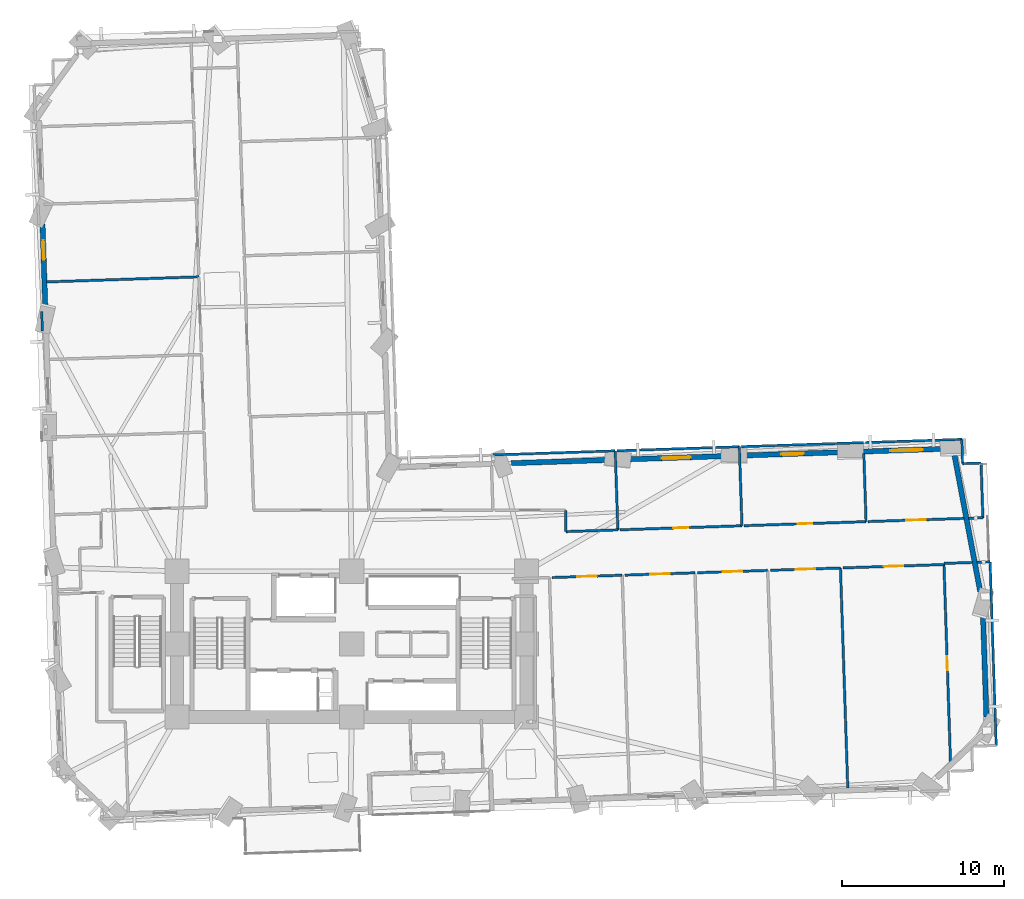
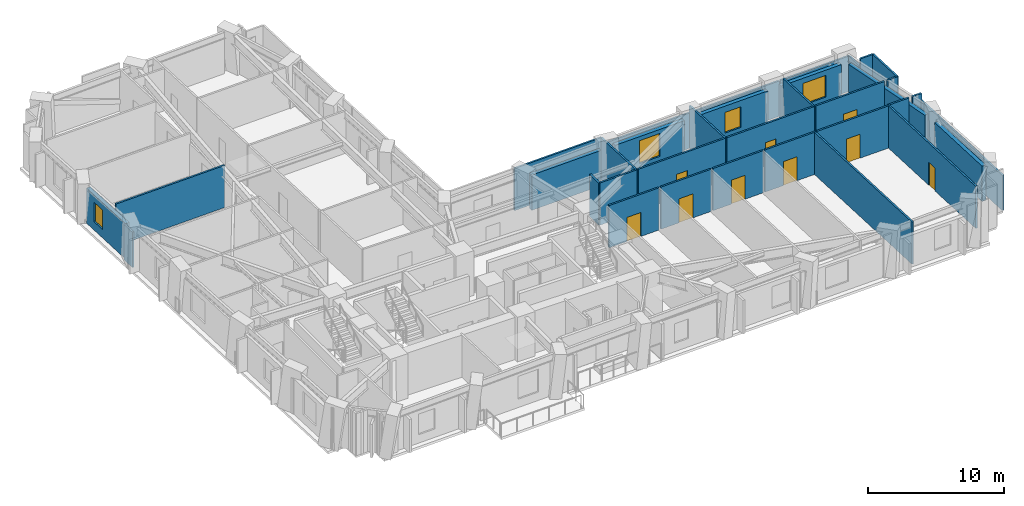
# One storey, part 8 of 14: 35 walls, 9 doors, 4 windows, 13 openings.
"""IFC4 building model written with IfcOpenShell, lengths in metres."""

from ifc_helpers import new_model, si_unit, direction, frame, frame_2d, origin, place, context, subcontext, project, spatial, rectangle, extrude, material, layer, layer_set, type_object, element, fill, save


model = new_model("IFC4")

# Units and contexts
model_context = context("Model", 3, precision=1e-05, world=origin(), true_north=direction((0.0, 1.0)))
body_context = subcontext(model_context, "Body", "Model", "MODEL_VIEW")
ifc_project = project(units=[si_unit("LENGTHUNIT", "METRE"), si_unit("AREAUNIT", "SQUARE_METRE"), si_unit("VOLUMEUNIT", "CUBIC_METRE"), si_unit("PLANEANGLEUNIT", "RADIAN"), si_unit("MASSUNIT", "GRAM", prefix="KILO")], contexts=[model_context])

# Site, building, storey
site_placement = place(None, origin())
site = spatial("IfcSite", under=ifc_project, at=site_placement, CompositionType="ELEMENT")
building_placement = place(site_placement, origin())
building = spatial("IfcBuilding", under=site, at=building_placement, Name="Gaonmaruhae Medical Tower", CompositionType="ELEMENT")
storey_placement = place(building_placement, frame((0.0, 0.0, 31.0)))
storey = spatial("IfcBuildingStorey", under=building, at=storey_placement, Name="L06", CompositionType="ELEMENT", Elevation=31.0)

# Walls
ifc_material_1 = material(Name="Precast concrete C45/55", Category="concrete")
ifc_layer_1 = layer(ifc_material_1, 0.320068359375)
ifc_layer_set_1 = layer_set([ifc_layer_1], Name="Precast concrete C45/55")
wall_type_1 = type_object("IfcWallType", Name="EW-320 Lower Precast Masonry-Frame Facade Wall", PredefinedType="SOLIDWALL", material=ifc_layer_set_1)
wall_1_placement = place(storey_placement, frame((63.811767578125, 14.392822265625, 0.0), z_axis=(0.0, 0.0, 1.0), x_axis=(0.033130361489, -0.999451038895, 0.0)))
element("IfcWall", 1, at=wall_1_placement, inside=storey, type_object=wall_type_1, Name="L06 Precast Masonry-Frame Wall E01-E02", PredefinedType="SOLIDWALL", context=body_context, shape_type="SweptSolid", body=[
    extrude(rectangle(XDim=6.610107421875, YDim=0.320068359375, at=frame_2d((3.30517578125, 0.0))), origin(), (0.0, 0.0, 1.0), 3.1650390625),
])
wall_2_placement = place(storey_placement, frame((62.048828125, 24.02197265625, 0.0), z_axis=(0.0, 0.0, 1.0), x_axis=(0.185503389707, -0.982643624315, 0.0)))
element("IfcWall", 2, at=wall_2_placement, inside=storey, type_object=wall_type_1, Name="L06 Precast Masonry-Frame Wall E02-E03", PredefinedType="SOLIDWALL", context=body_context, shape_type="SweptSolid", body=[
    extrude(rectangle(XDim=8.61376953125, YDim=0.320068359375, at=frame_2d((4.306884765625, 0.0))), origin(), (0.0, 0.0, 1.0), 3.1650390625),
])

# Wall, opening, window
wall_3_placement = place(storey_placement, frame((56.221923828125, 24.19970703125, 0.0), z_axis=(0.0, 0.0, 1.0), x_axis=(0.999450872854, 0.033135370087, 0.0)))
wall_3 = element("IfcWall", 3, at=wall_3_placement, inside=storey, type_object=wall_type_1, Name="L06 Precast Masonry-Frame Wall E03-EN01", PredefinedType="SOLIDWALL", context=body_context, shape_type="SweptSolid", body=[
    extrude(rectangle(XDim=5.209228515625, YDim=0.320068359375, at=frame_2d((2.6044921875, 0.0))), origin(), (0.0, 0.0, 1.0), 3.1650390625),
])
opening_1_placement = place(wall_3_placement, frame((1.8720703125, 0.0, 0.75)))
opening_1 = element("IfcOpeningElement", 4, at=opening_1_placement, cuts=wall_3, Name="Opening WN-02", PredefinedType="OPENING", context=body_context, shape_type="SweptSolid", body=[
    extrude(rectangle(XDim=2.0, YDim=1.949951171875, at=frame_2d((1.0, 0.97509765625))), frame((0.0, 0.169921875, 0.0), z_axis=(0.0, -1.0, 0.0), x_axis=(1.0, 0.0, 0.0)), (0.0, 0.0, 1.0), 0.340087890625),
])
ifc_material_2 = material(Name="Anodised aluminium and Low-E double glazing", Category="aluminium")
window_type_1 = type_object("IfcWindowType", Name="WN-02 Double-Bed Ward Punched Window 2000x1950", PartitioningType="SINGLE_PANEL", PredefinedType="WINDOW", material=ifc_material_2)
window_1_placement = place(opening_1_placement, origin())
window_1 = element("IfcWindow", 5, at=window_1_placement, inside=storey, type_object=window_type_1, Name="L06 Modular Facade Window E03", OverallHeight=1.949951171875, OverallWidth=2.0, PartitioningType="SINGLE_PANEL", PredefinedType="WINDOW", context=body_context, shape_type="SweptSolid", body=[
    extrude(rectangle(XDim=2.0, YDim=1.949951171875, at=frame_2d((1.0, 0.97509765625))), frame((0.0, 0.030029296875, 0.0), z_axis=(0.0, -1.0, 0.0), x_axis=(1.0, 0.0, 0.0)), (0.0, 0.0, 1.0), 0.06005859375),
])
fill(opening_1, window_1)

wall_4_placement = place(storey_placement, frame((49.041748046875, 23.96142578125, 0.0), z_axis=(0.0, 0.0, 1.0), x_axis=(0.999449037316, 0.033190688572, 0.0)))
wall_4 = element("IfcWall", 6, at=wall_4_placement, inside=storey, type_object=wall_type_1, Name="L06 Precast Masonry-Frame Wall EN01-EN02", PredefinedType="SOLIDWALL", context=body_context, shape_type="SweptSolid", body=[
    extrude(rectangle(XDim=6.0244140625, YDim=0.320068359375, at=frame_2d((3.01220703125, 0.0))), origin(), (0.0, 0.0, 1.0), 3.1650390625),
])
opening_2_placement = place(wall_4_placement, frame((2.30859375, 0.0, 0.75)))
opening_2 = element("IfcOpeningElement", 7, at=opening_2_placement, cuts=wall_4, Name="Opening WN-03", PredefinedType="OPENING", context=body_context, shape_type="SweptSolid", body=[
    extrude(rectangle(XDim=1.39990234375, YDim=1.85009765625, at=frame_2d((0.699951171875, 0.925048828125))), frame((0.0, 0.169921875, 0.0), z_axis=(0.0, -1.0, 0.0), x_axis=(1.0, 0.0, 0.0)), (0.0, 0.0, 1.0), 0.340087890625),
])
window_type_2 = type_object("IfcWindowType", Name="WN-03 Isolation Ward Punched Window 1400x1850", PartitioningType="SINGLE_PANEL", PredefinedType="WINDOW", material=ifc_material_2)
window_2_placement = place(opening_2_placement, origin())
window_2 = element("IfcWindow", 8, at=window_2_placement, inside=storey, type_object=window_type_2, Name="L06 Modular Facade Window EN01", OverallHeight=1.85009765625, OverallWidth=1.39990234375, PartitioningType="SINGLE_PANEL", PredefinedType="WINDOW", context=body_context, shape_type="SweptSolid", body=[
    extrude(rectangle(XDim=1.39990234375, YDim=1.85009765625, at=frame_2d((0.699951171875, 0.925048828125))), frame((0.0, 0.030029296875, 0.0), z_axis=(0.0, -1.0, 0.0), x_axis=(1.0, 0.0, 0.0)), (0.0, 0.0, 1.0), 0.06005859375),
])
fill(opening_2, window_2)

wall_5_placement = place(storey_placement, frame((41.85546875, 23.72314453125, 0.0), z_axis=(0.0, 0.0, 1.0), x_axis=(0.999449908842, 0.033164434498, 0.0)))
wall_5 = element("IfcWall", 9, at=wall_5_placement, inside=storey, type_object=wall_type_1, Name="L06 Precast Masonry-Frame Wall EN02-EN03", PredefinedType="SOLIDWALL", context=body_context, shape_type="SweptSolid", body=[
    extrude(rectangle(XDim=5.999755859375, YDim=0.320068359375, at=frame_2d((3.0, 0.0))), origin(), (0.0, 0.0, 1.0), 3.1650390625),
])
opening_3_placement = place(wall_5_placement, frame((2.097900390625, 0.0, 0.75)))
opening_3 = element("IfcOpeningElement", 10, at=opening_3_placement, cuts=wall_5, Name="Opening WN-04", PredefinedType="OPENING", context=body_context, shape_type="SweptSolid", body=[
    extrude(rectangle(XDim=1.800048828125, YDim=2.050048828125, at=frame_2d((0.89990234375, 1.02490234375))), frame((0.0, 0.169921875, 0.0), z_axis=(0.0, -1.0, 0.0), x_axis=(1.0, 0.0, 0.0)), (0.0, 0.0, 1.0), 0.340087890625),
])
window_type_3 = type_object("IfcWindowType", Name="WN-04 Clinic & Consult Punched Window 1800x2050", PartitioningType="SINGLE_PANEL", PredefinedType="WINDOW", material=ifc_material_2)
window_3_placement = place(opening_3_placement, origin())
window_3 = element("IfcWindow", 11, at=window_3_placement, inside=storey, type_object=window_type_3, Name="L06 Modular Facade Window EN02", OverallHeight=2.050048828125, OverallWidth=1.800048828125, PartitioningType="SINGLE_PANEL", PredefinedType="WINDOW", context=body_context, shape_type="SweptSolid", body=[
    extrude(rectangle(XDim=1.800048828125, YDim=2.050048828125, at=frame_2d((0.89990234375, 1.02490234375))), frame((0.0, 0.030029296875, 0.0), z_axis=(0.0, -1.0, 0.0), x_axis=(1.0, 0.0, 0.0)), (0.0, 0.0, 1.0), 0.06005859375),
])
fill(opening_3, window_3)

# Wall
wall_6_placement = place(storey_placement, frame((34.6630859375, 23.484619140625, 0.0), z_axis=(0.0, 0.0, 1.0), x_axis=(0.999450324631, 0.033151901833, 0.0)))
element("IfcWall", 12, at=wall_6_placement, inside=storey, type_object=wall_type_1, Name="L06 Precast Masonry-Frame Wall EN03-EN04", PredefinedType="SOLIDWALL", context=body_context, shape_type="SweptSolid", body=[
    extrude(rectangle(XDim=5.987060546875, YDim=0.320068359375, at=frame_2d((2.99365234375, 0.0))), origin(), (0.0, 0.0, 1.0), 3.1650390625),
])

# Wall, opening, window
wall_7_placement = place(storey_placement, frame((5.867431640625, 32.860595703125, 0.0), z_axis=(0.0, 0.0, 1.0), x_axis=(-0.033135713124, 0.999450861481, 0.0)))
wall_7 = element("IfcWall", 13, at=wall_7_placement, inside=storey, type_object=wall_type_1, Name="L06 Precast Masonry-Frame Wall W02-W03", PredefinedType="SOLIDWALL", context=body_context, shape_type="SweptSolid", body=[
    extrude(rectangle(XDim=5.400634765625, YDim=0.320068359375, at=frame_2d((2.7001953125, 0.0))), origin(), (0.0, 0.0, 1.0), 3.1650390625),
])
opening_4_placement = place(wall_7_placement, frame((3.194580078125, 0.0, 0.75)))
opening_4 = element("IfcOpeningElement", 14, at=opening_4_placement, cuts=wall_7, Name="Opening WN-05", PredefinedType="OPENING", context=body_context, shape_type="SweptSolid", body=[
    extrude(rectangle(XDim=1.199951171875, YDim=1.75, at=frame_2d((0.60009765625, 0.875))), frame((0.0, 0.169921875, 0.0), z_axis=(0.0, -1.0, 0.0), x_axis=(1.0, 0.0, 0.0)), (0.0, 0.0, 1.0), 0.340087890625),
])
window_type_4 = type_object("IfcWindowType", Name="WN-05 Support & Staff Punched Window 1200x1750", PartitioningType="SINGLE_PANEL", PredefinedType="WINDOW", material=ifc_material_2)
window_4_placement = place(opening_4_placement, origin())
window_4 = element("IfcWindow", 15, at=window_4_placement, inside=storey, type_object=window_type_4, Name="L06 Modular Facade Window W02", OverallHeight=1.75, OverallWidth=1.199951171875, PartitioningType="SINGLE_PANEL", PredefinedType="WINDOW", context=body_context, shape_type="SweptSolid", body=[
    extrude(rectangle(XDim=1.199951171875, YDim=1.75, at=frame_2d((0.60009765625, 0.875))), frame((0.0, 0.030029296875, 0.0), z_axis=(0.0, -1.0, 0.0), x_axis=(1.0, 0.0, 0.0)), (0.0, 0.0, 1.0), 0.06005859375),
])
fill(opening_4, window_4)

# Wall, opening, door
ifc_material_3 = material(Name="Gypsum board partition", Category="gypsum")
ifc_layer_2 = layer(ifc_material_3, 0.14990234375)
ifc_layer_set_2 = layer_set([ifc_layer_2], Name="Gypsum board partition")
wall_type_2 = type_object("IfcWallType", Name="PW-150 Rated Clinical Corridor Partition", PredefinedType="PARTITIONING", material=ifc_layer_set_2)
wall_8_placement = place(storey_placement, frame((37.179931640625, 16.4140625, 0.0), z_axis=(0.0, 0.0, 1.0), x_axis=(0.999449206093, 0.03318560592, 0.0)))
wall_8 = element("IfcWall", 16, at=wall_8_placement, inside=storey, type_object=wall_type_2, Name="L06 Interior Partition L06-SUP08-34", PredefinedType="PARTITIONING", context=body_context, shape_type="SweptSolid", body=[
    extrude(rectangle(XDim=4.340576171875, YDim=0.14990234375, at=frame_2d((2.17041015625, 0.0))), origin(), (0.0, 0.0, 1.0), 3.780029296875),
])
opening_5_placement = place(wall_8_placement, frame((1.5703125, 0.0, 0.0)))
opening_5 = element("IfcOpeningElement", 17, at=opening_5_placement, cuts=wall_8, Name="Opening CD-02", PredefinedType="OPENING", context=body_context, shape_type="SweptSolid", body=[
    extrude(rectangle(XDim=1.199951171875, YDim=2.14990234375, at=frame_2d((0.60009765625, 1.074951171875))), frame((0.0, 0.0849609375, 0.0), z_axis=(0.0, -1.0, 0.0), x_axis=(1.0, 0.0, 0.0)), (0.0, 0.0, 1.0), 0.169921875),
])
ifc_material_4 = material(Name="Antimicrobial laminate timber fire door", Category="wood")
door_type_1 = type_object("IfcDoorType", Name="CD-02 Clinical Treatment & Procedure Door 1200x2150", OperationType="NOTDEFINED", PredefinedType="DOOR", material=ifc_material_4)
door_1_placement = place(opening_5_placement, origin())
door_1 = element("IfcDoor", 18, at=door_1_placement, inside=storey, type_object=door_type_1, Name="L06 Clinical Biomedical Charting Office Door", OperationType="SINGLE_SWING_LEFT", OverallHeight=2.14990234375, OverallWidth=1.199951171875, PredefinedType="DOOR", context=body_context, shape_type="SweptSolid", body=[
    extrude(rectangle(XDim=1.199951171875, YDim=2.14990234375, at=frame_2d((0.60009765625, 1.074951171875))), frame((0.0, 0.02490234375, 0.0), z_axis=(0.0, -1.0, 0.0), x_axis=(1.0, 0.0, 0.0)), (0.0, 0.0, 1.0), 0.050048828125),
])
fill(opening_5, door_1)

wall_9_placement = place(storey_placement, frame((41.677978515625, 16.56298828125, 0.0), z_axis=(0.0, 0.0, 1.0), x_axis=(0.999448896244, 0.03319493632, 0.0)))
wall_9 = element("IfcWall", 19, at=wall_9_placement, inside=storey, type_object=wall_type_2, Name="L06 Interior Partition L06-SUP09-37", PredefinedType="PARTITIONING", context=body_context, shape_type="SweptSolid", body=[
    extrude(rectangle(XDim=4.33935546875, YDim=0.14990234375, at=frame_2d((2.169677734375, 0.0))), origin(), (0.0, 0.0, 1.0), 3.780029296875),
])
opening_6_placement = place(wall_9_placement, frame((1.569580078125, 0.0, 0.0)))
opening_6 = element("IfcOpeningElement", 20, at=opening_6_placement, cuts=wall_9, Name="Opening CD-02", PredefinedType="OPENING", context=body_context, shape_type="SweptSolid", body=[
    extrude(rectangle(XDim=1.199951171875, YDim=2.14990234375, at=frame_2d((0.60009765625, 1.074951171875))), frame((0.0, 0.0849609375, 0.0), z_axis=(0.0, -1.0, 0.0), x_axis=(1.0, 0.0, 0.0)), (0.0, 0.0, 1.0), 0.169921875),
])
door_2_placement = place(opening_6_placement, origin())
door_2 = element("IfcDoor", 21, at=door_2_placement, inside=storey, type_object=door_type_1, Name="L06 Clinical Biomedical Charting Office Door", OperationType="SINGLE_SWING_LEFT", OverallHeight=2.14990234375, OverallWidth=1.199951171875, PredefinedType="DOOR", context=body_context, shape_type="SweptSolid", body=[
    extrude(rectangle(XDim=1.199951171875, YDim=2.14990234375, at=frame_2d((0.60009765625, 1.074951171875))), frame((0.0, 0.02490234375, 0.0), z_axis=(0.0, -1.0, 0.0), x_axis=(1.0, 0.0, 0.0)), (0.0, 0.0, 1.0), 0.050048828125),
])
fill(opening_6, door_2)

wall_10_placement = place(storey_placement, frame((46.175048828125, 16.7119140625, 0.0), z_axis=(0.0, 0.0, 1.0), x_axis=(0.999449144144, 0.033187471581, 0.0)))
wall_10 = element("IfcWall", 22, at=wall_10_placement, inside=storey, type_object=wall_type_2, Name="L06 Interior Partition L06-SUP10-40", PredefinedType="PARTITIONING", context=body_context, shape_type="SweptSolid", body=[
    extrude(rectangle(XDim=4.34033203125, YDim=0.14990234375, at=frame_2d((2.170166015625, 0.0))), origin(), (0.0, 0.0, 1.0), 3.780029296875),
])
opening_7_placement = place(wall_10_placement, frame((1.5703125, 0.0, 0.0)))
opening_7 = element("IfcOpeningElement", 23, at=opening_7_placement, cuts=wall_10, Name="Opening CD-02", PredefinedType="OPENING", context=body_context, shape_type="SweptSolid", body=[
    extrude(rectangle(XDim=1.199951171875, YDim=2.14990234375, at=frame_2d((0.60009765625, 1.074951171875))), frame((0.0, 0.0849609375, 0.0), z_axis=(0.0, -1.0, 0.0), x_axis=(1.0, 0.0, 0.0)), (0.0, 0.0, 1.0), 0.169921875),
])
door_3_placement = place(opening_7_placement, origin())
door_3 = element("IfcDoor", 24, at=door_3_placement, inside=storey, type_object=door_type_1, Name="L06 Clinical Biomedical Charting Office Door", OperationType="SINGLE_SWING_RIGHT", OverallHeight=2.14990234375, OverallWidth=1.199951171875, PredefinedType="DOOR", context=body_context, shape_type="SweptSolid", body=[
    extrude(rectangle(XDim=1.199951171875, YDim=2.14990234375, at=frame_2d((0.60009765625, 1.074951171875))), frame((0.0, 0.02490234375, 0.0), z_axis=(0.0, -1.0, 0.0), x_axis=(1.0, 0.0, 0.0)), (0.0, 0.0, 1.0), 0.050048828125),
])
fill(opening_7, door_3)

wall_11_placement = place(storey_placement, frame((50.673095703125, 16.862060546875, 0.0), z_axis=(0.0, 0.0, 1.0), x_axis=(0.999448896244, 0.03319493632, 0.0)))
wall_11 = element("IfcWall", 25, at=wall_11_placement, inside=storey, type_object=wall_type_2, Name="L06 Interior Partition L06-SUP11-42", PredefinedType="PARTITIONING", context=body_context, shape_type="SweptSolid", body=[
    extrude(rectangle(XDim=4.33935546875, YDim=0.14990234375, at=frame_2d((2.169677734375, 0.0))), origin(), (0.0, 0.0, 1.0), 3.780029296875),
])
opening_8_placement = place(wall_11_placement, frame((1.569580078125, 0.0, 0.0)))
opening_8 = element("IfcOpeningElement", 26, at=opening_8_placement, cuts=wall_11, Name="Opening CD-02", PredefinedType="OPENING", context=body_context, shape_type="SweptSolid", body=[
    extrude(rectangle(XDim=1.199951171875, YDim=2.14990234375, at=frame_2d((0.60009765625, 1.074951171875))), frame((0.0, 0.0849609375, 0.0), z_axis=(0.0, -1.0, 0.0), x_axis=(1.0, 0.0, 0.0)), (0.0, 0.0, 1.0), 0.169921875),
])
door_4_placement = place(opening_8_placement, origin())
door_4 = element("IfcDoor", 27, at=door_4_placement, inside=storey, type_object=door_type_1, Name="L06 Clinical Biomedical Charting Office Door", OperationType="SINGLE_SWING_RIGHT", OverallHeight=2.14990234375, OverallWidth=1.199951171875, PredefinedType="DOOR", context=body_context, shape_type="SweptSolid", body=[
    extrude(rectangle(XDim=1.199951171875, YDim=2.14990234375, at=frame_2d((0.60009765625, 1.074951171875))), frame((0.0, 0.02490234375, 0.0), z_axis=(0.0, -1.0, 0.0), x_axis=(1.0, 0.0, 0.0)), (0.0, 0.0, 1.0), 0.050048828125),
])
fill(opening_8, door_4)

# Wall
wall_12_placement = place(storey_placement, frame((55.010009765625, 17.006103515625, 0.0), z_axis=(0.0, 0.0, 1.0), x_axis=(0.033190050186, -0.999449058516, 0.0)))
element("IfcWall", 28, at=wall_12_placement, inside=storey, type_object=wall_type_2, Name="L06 Interior Partition L06-SUP11-43", PredefinedType="PARTITIONING", context=body_context, shape_type="SweptSolid", body=[
    extrude(rectangle(XDim=13.61572265625, YDim=0.14990234375, at=frame_2d((6.807861328125, 0.0))), origin(), (0.0, 0.0, 1.0), 3.780029296875),
])

# Wall, opening, door
wall_13_placement = place(storey_placement, frame((55.169921875, 17.010986328125, 0.0), z_axis=(0.0, 0.0, 1.0), x_axis=(0.999449543268, 0.033175449669, 0.0)))
wall_13 = element("IfcWall", 29, at=wall_13_placement, inside=storey, type_object=wall_type_2, Name="L06 Interior Partition L06-SUP12-46", PredefinedType="PARTITIONING", context=body_context, shape_type="SweptSolid", body=[
    extrude(rectangle(XDim=6.240478515625, YDim=0.14990234375, at=frame_2d((3.1201171875, 0.0))), origin(), (0.0, 0.0, 1.0), 3.780029296875),
])
opening_9_placement = place(wall_13_placement, frame((2.520263671875, 0.0, 0.0)))
opening_9 = element("IfcOpeningElement", 30, at=opening_9_placement, cuts=wall_13, Name="Opening CD-02", PredefinedType="OPENING", context=body_context, shape_type="SweptSolid", body=[
    extrude(rectangle(XDim=1.199951171875, YDim=2.14990234375, at=frame_2d((0.60009765625, 1.074951171875))), frame((0.0, 0.0849609375, 0.0), z_axis=(0.0, -1.0, 0.0), x_axis=(1.0, 0.0, 0.0)), (0.0, 0.0, 1.0), 0.169921875),
])
door_5_placement = place(opening_9_placement, origin())
door_5 = element("IfcDoor", 31, at=door_5_placement, inside=storey, type_object=door_type_1, Name="L06 Clinical Biomedical Charting Office Door", OperationType="SINGLE_SWING_LEFT", OverallHeight=2.14990234375, OverallWidth=1.199951171875, PredefinedType="DOOR", context=body_context, shape_type="SweptSolid", body=[
    extrude(rectangle(XDim=1.199951171875, YDim=2.14990234375, at=frame_2d((0.60009765625, 1.074951171875))), frame((0.0, 0.02490234375, 0.0), z_axis=(0.0, -1.0, 0.0), x_axis=(1.0, 0.0, 0.0)), (0.0, 0.0, 1.0), 0.050048828125),
])
fill(opening_9, door_5)

wall_14_placement = place(storey_placement, frame((61.406982421875, 17.218017578125, 0.0), z_axis=(0.0, 0.0, 1.0), x_axis=(0.033092460537, -0.999452294537, 0.0)))
wall_14 = element("IfcWall", 32, at=wall_14_placement, inside=storey, type_object=wall_type_2, Name="L06 Interior Partition L06-SUP12-47", PredefinedType="PARTITIONING", context=body_context, shape_type="SweptSolid", body=[
    extrude(rectangle(XDim=12.209716796875, YDim=0.14990234375, at=frame_2d((6.10498046875, 0.0))), origin(), (0.0, 0.0, 1.0), 3.780029296875),
])
opening_10_placement = place(wall_14_placement, frame((5.6748046875, 0.0, 0.0)))
opening_10 = element("IfcOpeningElement", 33, at=opening_10_placement, cuts=wall_14, Name="Opening AD-01", PredefinedType="OPENING", context=body_context, shape_type="SweptSolid", body=[
    extrude(rectangle(XDim=0.860107421875, YDim=2.06005859375, at=frame_2d((0.43017578125, 1.030029296875))), frame((0.0, 0.0849609375, 0.0), z_axis=(0.0, -1.0, 0.0), x_axis=(1.0, 0.0, 0.0)), (0.0, 0.0, 1.0), 0.169921875),
])
ifc_material_5 = material(Name="Powder-coated steel access door", Category="steel")
door_type_2 = type_object("IfcDoorType", Name="AD-01 Riser & Closet Access Fire Door 860x2060", OperationType="NOTDEFINED", PredefinedType="DOOR", material=ifc_material_5)
door_6_placement = place(opening_10_placement, origin())
door_6 = element("IfcDoor", 34, at=door_6_placement, inside=storey, type_object=door_type_2, Name="L06 Care Team Clinical Charting Office Sliding Door", OperationType="SLIDING_TO_LEFT", OverallHeight=2.06005859375, OverallWidth=0.860107421875, PredefinedType="DOOR", context=body_context, shape_type="SweptSolid", body=[
    extrude(rectangle(XDim=0.860107421875, YDim=2.06005859375, at=frame_2d((0.43017578125, 1.030029296875))), frame((0.0, 0.02490234375, 0.0), z_axis=(0.0, -1.0, 0.0), x_axis=(1.0, 0.0, 0.0)), (0.0, 0.0, 1.0), 0.050048828125),
])
fill(opening_10, door_6)

# Walls
wall_15_placement = place(storey_placement, frame((5.94189453125, 34.68798828125, 0.0), z_axis=(0.0, 0.0, 1.0), x_axis=(0.999447321799, 0.033242306625, 0.0)))
element("IfcWall", 35, at=wall_15_placement, inside=storey, type_object=wall_type_2, Name="L06 Interior Partition L06-WOF16-61", PredefinedType="PARTITIONING", context=body_context, shape_type="SweptSolid", body=[
    extrude(rectangle(XDim=9.415283203125, YDim=0.14990234375, at=frame_2d((4.70751953125, 0.0))), origin(), (0.0, 0.0, 1.0), 3.780029296875),
])
wall_16_placement = place(storey_placement, frame((5.677978515625, 31.64599609375, 0.0), z_axis=(0.0, 0.0, 1.0), x_axis=(-0.033153285945, 0.999450278719, 0.0)))
element("IfcWall", 36, at=wall_16_placement, inside=storey, type_object=wall_type_2, Name="L06 Interior Partition L06-WOF16-63", PredefinedType="PARTITIONING", context=body_context, shape_type="SweptSolid", body=[
    extrude(rectangle(XDim=1.207763671875, YDim=0.14990234375, at=frame_2d((0.60400390625, 0.0))), origin(), (0.0, 0.0, 1.0), 3.1650390625),
])
wall_17_placement = place(storey_placement, frame((33.535888671875, 23.9970703125, 0.0), z_axis=(0.0, 0.0, 1.0), x_axis=(0.999448094367, 0.033219070808, 0.0)))
element("IfcWall", 37, at=wall_17_placement, inside=storey, type_object=wall_type_2, Name="L06 Interior Partition L06-IE03-86", PredefinedType="PARTITIONING", context=body_context, shape_type="SweptSolid", body=[
    extrude(rectangle(XDim=7.55517578125, YDim=0.14990234375, at=frame_2d((3.777587890625, 0.0))), origin(), (0.0, 0.0, 1.0), 3.780029296875),
])
wall_18_placement = place(storey_placement, frame((41.0869140625, 24.248046875, 0.0), z_axis=(0.0, 0.0, 1.0), x_axis=(0.033353067191, -0.999443631682, 0.0)))
element("IfcWall", 38, at=wall_18_placement, inside=storey, type_object=wall_type_2, Name="L06 Interior Partition L06-IE03-87", PredefinedType="PARTITIONING", context=body_context, shape_type="SweptSolid", body=[
    extrude(rectangle(XDim=4.8896484375, YDim=0.14990234375, at=frame_2d((2.44482421875, 0.0))), origin(), (0.0, 0.0, 1.0), 3.780029296875),
])
wall_19_placement = place(storey_placement, frame((41.25, 19.361083984375, 0.0), z_axis=(0.0, 0.0, 1.0), x_axis=(-0.999446503828, -0.033266890225, 0.0)))
element("IfcWall", 39, at=wall_19_placement, inside=storey, type_object=wall_type_2, Name="L06 Interior Partition L06-IE03-88", PredefinedType="PARTITIONING", context=body_context, shape_type="SweptSolid", body=[
    extrude(rectangle(XDim=3.2216796875, YDim=0.14990234375, at=frame_2d((1.61083984375, 0.0))), origin(), (0.0, 0.0, 1.0), 3.780029296875),
])
wall_20_placement = place(storey_placement, frame((38.030029296875, 19.25390625, 0.0), z_axis=(0.0, 0.0, 1.0), x_axis=(0.0, 1.0, 0.0)))
element("IfcWall", 40, at=wall_20_placement, inside=storey, type_object=wall_type_2, Name="L06 Interior Partition L06-IE03-89", PredefinedType="PARTITIONING", context=body_context, shape_type="SweptSolid", body=[
    extrude(rectangle(XDim=1.299072265625, YDim=0.14990234375, at=frame_2d((0.6494140625, 0.0))), origin(), (0.0, 0.0, 1.0), 3.780029296875),
])

# Wall, opening, door
wall_21_placement = place(storey_placement, frame((48.9208984375, 19.614990234375, 0.0), z_axis=(0.0, 0.0, 1.0), x_axis=(-0.999452518979, -0.033085681293, 0.0)))
wall_21 = element("IfcWall", 41, at=wall_21_placement, inside=storey, type_object=wall_type_2, Name="L06 Interior Partition L06-IE04-90", PredefinedType="PARTITIONING", context=body_context, shape_type="SweptSolid", body=[
    extrude(rectangle(XDim=7.55615234375, YDim=0.14990234375, at=frame_2d((3.778076171875, 0.0))), origin(), (0.0, 0.0, 1.0), 3.780029296875),
])
opening_11_placement = place(wall_21_placement, frame((3.318115234375, 0.0, 0.0)))
opening_11 = element("IfcOpeningElement", 42, at=opening_11_placement, cuts=wall_21, Name="Opening UD-01", PredefinedType="OPENING", context=body_context, shape_type="SweptSolid", body=[
    extrude(rectangle(XDim=0.919921875, YDim=2.10009765625, at=frame_2d((0.4599609375, 1.050048828125))), frame((0.0, 0.0849609375, 0.0), z_axis=(0.0, -1.0, 0.0), x_axis=(1.0, 0.0, 0.0)), (0.0, 0.0, 1.0), 0.169921875),
])
ifc_material_6 = material(Name="Powder-coated steel utility door", Category="steel")
door_type_3 = type_object("IfcDoorType", Name="UD-01 Toilet, Utility & Housekeeping Door 920x2100", OperationType="NOTDEFINED", PredefinedType="DOOR", material=ifc_material_6)
door_7_placement = place(opening_11_placement, origin())
door_7 = element("IfcDoor", 43, at=door_7_placement, inside=storey, type_object=door_type_3, Name="L06 Accessible Public Toilet Door", OperationType="SINGLE_SWING_RIGHT", OverallHeight=2.10009765625, OverallWidth=0.919921875, PredefinedType="DOOR", context=body_context, shape_type="SweptSolid", body=[
    extrude(rectangle(XDim=0.919921875, YDim=2.10009765625, at=frame_2d((0.4599609375, 1.050048828125))), frame((0.0, 0.02490234375, 0.0), z_axis=(0.0, -1.0, 0.0), x_axis=(1.0, 0.0, 0.0)), (0.0, 0.0, 1.0), 0.050048828125),
])
fill(opening_11, door_7)

# Walls
wall_22_placement = place(storey_placement, frame((41.20703125, 24.251953125, 0.0), z_axis=(0.0, 0.0, 1.0), x_axis=(0.999452518979, 0.033085681293, 0.0)))
element("IfcWall", 44, at=wall_22_placement, inside=storey, type_object=wall_type_2, Name="L06 Interior Partition L06-IE04-91", PredefinedType="PARTITIONING", context=body_context, shape_type="SweptSolid", body=[
    extrude(rectangle(XDim=7.55615234375, YDim=0.14990234375, at=frame_2d((3.778076171875, 0.0))), origin(), (0.0, 0.0, 1.0), 3.1650390625),
])
wall_23_placement = place(storey_placement, frame((48.759033203125, 24.501953125, 0.0), z_axis=(0.0, 0.0, 1.0), x_axis=(0.033103693094, -0.999451922557, 0.0)))
element("IfcWall", 45, at=wall_23_placement, inside=storey, type_object=wall_type_2, Name="L06 Interior Partition L06-IE04-92", PredefinedType="PARTITIONING", context=body_context, shape_type="SweptSolid", body=[
    extrude(rectangle(XDim=4.8896484375, YDim=0.14990234375, at=frame_2d((2.44482421875, 0.0))), origin(), (0.0, 0.0, 1.0), 3.780029296875),
])

# Wall, opening, door
wall_24_placement = place(storey_placement, frame((56.592041015625, 19.8701171875, 0.0), z_axis=(0.0, 0.0, 1.0), x_axis=(-0.99944702099, -0.033251349368, 0.0)))
wall_24 = element("IfcWall", 46, at=wall_24_placement, inside=storey, type_object=wall_type_2, Name="L06 Interior Partition L06-IE05-93", PredefinedType="PARTITIONING", context=body_context, shape_type="SweptSolid", body=[
    extrude(rectangle(XDim=7.55517578125, YDim=0.14990234375, at=frame_2d((3.777587890625, 0.0))), origin(), (0.0, 0.0, 1.0), 3.780029296875),
])
opening_12_placement = place(wall_24_placement, frame((3.317626953125, 0.0, 0.0)))
opening_12 = element("IfcOpeningElement", 47, at=opening_12_placement, cuts=wall_24, Name="Opening UD-01", PredefinedType="OPENING", context=body_context, shape_type="SweptSolid", body=[
    extrude(rectangle(XDim=0.919921875, YDim=2.10009765625, at=frame_2d((0.4599609375, 1.050048828125))), frame((0.0, 0.0849609375, 0.0), z_axis=(0.0, -1.0, 0.0), x_axis=(1.0, 0.0, 0.0)), (0.0, 0.0, 1.0), 0.169921875),
])
door_8_placement = place(opening_12_placement, origin())
door_8 = element("IfcDoor", 48, at=door_8_placement, inside=storey, type_object=door_type_3, Name="L06 Ward Housekeeping and Linen Store Door", OperationType="SINGLE_SWING_RIGHT", OverallHeight=2.10009765625, OverallWidth=0.919921875, PredefinedType="DOOR", context=body_context, shape_type="SweptSolid", body=[
    extrude(rectangle(XDim=0.919921875, YDim=2.10009765625, at=frame_2d((0.4599609375, 1.050048828125))), frame((0.0, 0.02490234375, 0.0), z_axis=(0.0, -1.0, 0.0), x_axis=(1.0, 0.0, 0.0)), (0.0, 0.0, 1.0), 0.050048828125),
])
fill(opening_12, door_8)

# Walls
wall_25_placement = place(storey_placement, frame((48.87890625, 24.506103515625, 0.0), z_axis=(0.0, 0.0, 1.0), x_axis=(0.999448094367, 0.033219070808, 0.0)))
element("IfcWall", 49, at=wall_25_placement, inside=storey, type_object=wall_type_2, Name="L06 Interior Partition L06-IE05-94", PredefinedType="PARTITIONING", context=body_context, shape_type="SweptSolid", body=[
    extrude(rectangle(XDim=7.55517578125, YDim=0.14990234375, at=frame_2d((3.777587890625, 0.0))), origin(), (0.0, 0.0, 1.0), 3.1650390625),
])
wall_26_placement = place(storey_placement, frame((56.452880859375, 24.072021484375, 0.0), z_axis=(0.0, 0.0, 1.0), x_axis=(0.033100206942, -0.999452038019, 0.0)))
element("IfcWall", 50, at=wall_26_placement, inside=storey, type_object=wall_type_2, Name="L06 Interior Partition L06-IE05-95", PredefinedType="PARTITIONING", context=body_context, shape_type="SweptSolid", body=[
    extrude(rectangle(XDim=4.2041015625, YDim=0.14990234375, at=frame_2d((2.10205078125, 0.0))), origin(), (0.0, 0.0, 1.0), 3.780029296875),
])
wall_27_placement = place(storey_placement, frame((62.56005859375, 23.458984375, 0.0), z_axis=(0.0, 0.0, 1.0), x_axis=(0.999442290529, 0.033393231382, 0.0)))
element("IfcWall", 51, at=wall_27_placement, inside=storey, type_object=wall_type_2, Name="L06 Interior Partition L06-IE06-96", PredefinedType="PARTITIONING", context=body_context, shape_type="SweptSolid", body=[
    extrude(rectangle(XDim=1.140625, YDim=0.14990234375, at=frame_2d((0.5703125, 0.0))), origin(), (0.0, 0.0, 1.0), 3.780029296875),
])
wall_28_placement = place(storey_placement, frame((63.699951171875, 23.4970703125, 0.0), z_axis=(0.0, 0.0, 1.0), x_axis=(0.033055855253, -0.999453505889, 0.0)))
element("IfcWall", 52, at=wall_28_placement, inside=storey, type_object=wall_type_2, Name="L06 Interior Partition L06-IE06-97", PredefinedType="PARTITIONING", context=body_context, shape_type="SweptSolid", body=[
    extrude(rectangle(XDim=3.39013671875, YDim=0.14990234375, at=frame_2d((1.695068359375, 0.0))), origin(), (0.0, 0.0, 1.0), 3.780029296875),
])
wall_29_placement = place(storey_placement, frame((63.81201171875, 20.10888671875, 0.0), z_axis=(0.0, 0.0, 1.0), x_axis=(-0.999467093729, -0.032642434835, 0.0)))
element("IfcWall", 53, at=wall_29_placement, inside=storey, type_object=wall_type_2, Name="L06 Interior Partition L06-IE06-98", PredefinedType="PARTITIONING", context=body_context, shape_type="SweptSolid", body=[
    extrude(rectangle(XDim=0.882568359375, YDim=0.14990234375, at=frame_2d((0.44140625, 0.0))), origin(), (0.0, 0.0, 1.0), 3.780029296875),
])

# Wall, opening, door
wall_30_placement = place(storey_placement, frame((62.656982421875, 20.071044921875, 0.0), z_axis=(0.0, 0.0, 1.0), x_axis=(-0.999451311422, -0.033122139063, 0.0)))
wall_30 = element("IfcWall", 54, at=wall_30_placement, inside=storey, type_object=wall_type_2, Name="L06 Interior Partition L06-IE06-99", PredefinedType="PARTITIONING", context=body_context, shape_type="SweptSolid", body=[
    extrude(rectangle(XDim=5.9482421875, YDim=0.14990234375, at=frame_2d((2.97412109375, 0.0))), origin(), (0.0, 0.0, 1.0), 3.780029296875),
])
opening_13_placement = place(wall_30_placement, frame((2.3740234375, 0.0, 0.0)))
opening_13 = element("IfcOpeningElement", 55, at=opening_13_placement, cuts=wall_30, Name="Opening CD-02", PredefinedType="OPENING", context=body_context, shape_type="SweptSolid", body=[
    extrude(rectangle(XDim=1.199951171875, YDim=2.14990234375, at=frame_2d((0.60009765625, 1.074951171875))), frame((0.0, 0.0849609375, 0.0), z_axis=(0.0, -1.0, 0.0), x_axis=(1.0, 0.0, 0.0)), (0.0, 0.0, 1.0), 0.169921875),
])
door_9_placement = place(opening_13_placement, origin())
door_9 = element("IfcDoor", 56, at=door_9_placement, inside=storey, type_object=door_type_1, Name="L06 Multidisciplinary Clinical Consultation Room Door", OperationType="SINGLE_SWING_RIGHT", OverallHeight=2.14990234375, OverallWidth=1.199951171875, PredefinedType="DOOR", context=body_context, shape_type="SweptSolid", body=[
    extrude(rectangle(XDim=1.199951171875, YDim=2.14990234375, at=frame_2d((0.60009765625, 1.074951171875))), frame((0.0, 0.02490234375, 0.0), z_axis=(0.0, -1.0, 0.0), x_axis=(1.0, 0.0, 0.0)), (0.0, 0.0, 1.0), 0.050048828125),
])
fill(opening_13, door_9)

# Walls
wall_31_placement = place(storey_placement, frame((56.550048828125, 24.760986328125, 0.0), z_axis=(0.0, 0.0, 1.0), x_axis=(0.999448807252, 0.033197615608, 0.0)))
element("IfcWall", 57, at=wall_31_placement, inside=storey, type_object=wall_type_2, Name="L06 Interior Partition L06-IE06-100", PredefinedType="PARTITIONING", context=body_context, shape_type="SweptSolid", body=[
    extrude(rectangle(XDim=5.964111328125, YDim=0.14990234375, at=frame_2d((2.98193359375, 0.0))), origin(), (0.0, 0.0, 1.0), 3.1650390625),
])
wall_32_placement = place(storey_placement, frame((62.510986328125, 24.958984375, 0.0), z_axis=(0.0, 0.0, 1.0), x_axis=(0.032697351079, -0.999465298663, 0.0)))
element("IfcWall", 58, at=wall_32_placement, inside=storey, type_object=wall_type_2, Name="L06 Interior Partition L06-IE06-101", PredefinedType="PARTITIONING", context=body_context, shape_type="SweptSolid", body=[
    extrude(rectangle(XDim=1.500732421875, YDim=0.14990234375, at=frame_2d((0.75048828125, 0.0))), origin(), (0.0, 0.0, 1.0), 3.1650390625),
])
wall_33_placement = place(storey_placement, frame((64.262939453125, 17.383056640625, 0.0), z_axis=(0.0, 0.0, 1.0), x_axis=(0.033152539768, -0.99945030347, 0.0)))
element("IfcWall", 59, at=wall_33_placement, inside=storey, type_object=wall_type_2, Name="L06 Interior Partition L06-RM02-116", PredefinedType="PARTITIONING", context=body_context, shape_type="SweptSolid", body=[
    extrude(rectangle(XDim=11.370361328125, YDim=0.14990234375, at=frame_2d((5.68505859375, 0.0))), origin(), (0.0, 0.0, 1.0), 3.1650390625),
])
wall_34_placement = place(storey_placement, frame((61.405029296875, 17.2880859375, 0.0), z_axis=(0.0, 0.0, 1.0), x_axis=(0.999446132346, 0.033278048894, 0.0)))
element("IfcWall", 60, at=wall_34_placement, inside=storey, type_object=wall_type_2, Name="L06 Interior Partition L06-RM02-120", PredefinedType="PARTITIONING", context=body_context, shape_type="SweptSolid", body=[
    extrude(rectangle(XDim=1.76806640625, YDim=0.14990234375, at=frame_2d((0.884033203125, 0.0))), origin(), (0.0, 0.0, 1.0), 3.780029296875),
])
wall_35_placement = place(storey_placement, frame((63.445068359375, 17.35595703125, 0.0), z_axis=(0.0, 0.0, 1.0), x_axis=(0.999451509735, 0.033116154502, 0.0)))
element("IfcWall", 61, at=wall_35_placement, inside=storey, type_object=wall_type_2, Name="L06 Interior Partition L06-RM02-121", PredefinedType="PARTITIONING", context=body_context, shape_type="SweptSolid", body=[
    extrude(rectangle(XDim=0.818359375, YDim=0.14990234375, at=frame_2d((0.4091796875, 0.0))), origin(), (0.0, 0.0, 1.0), 3.780029296875),
])

save(model, "model.ifc")
